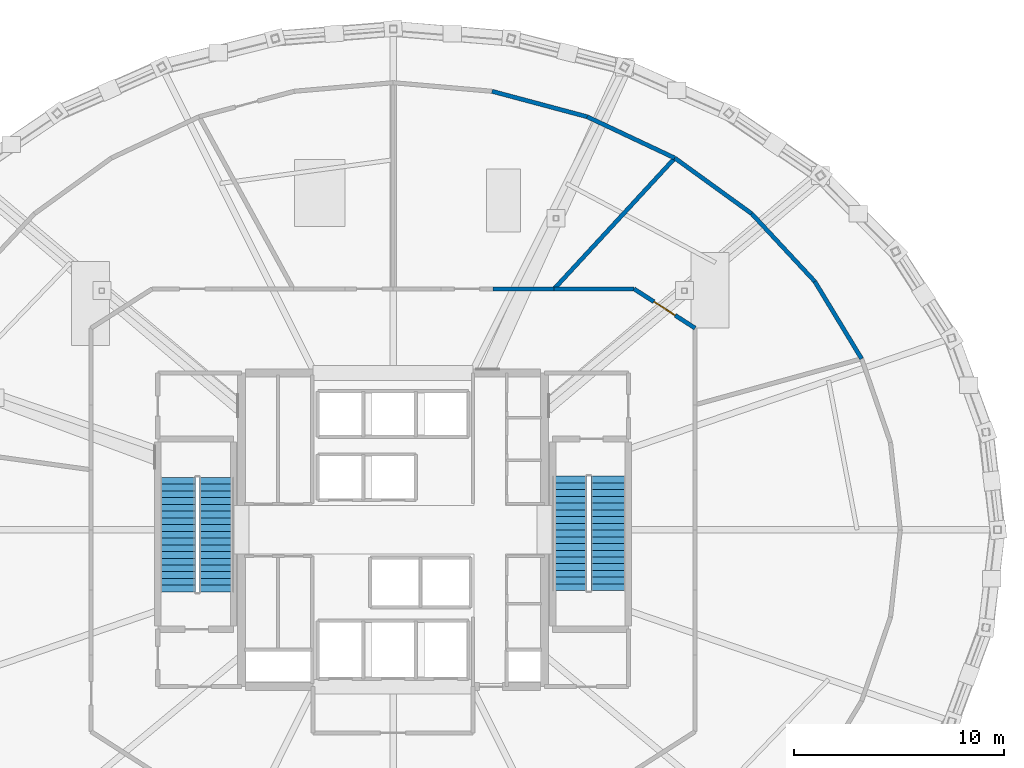
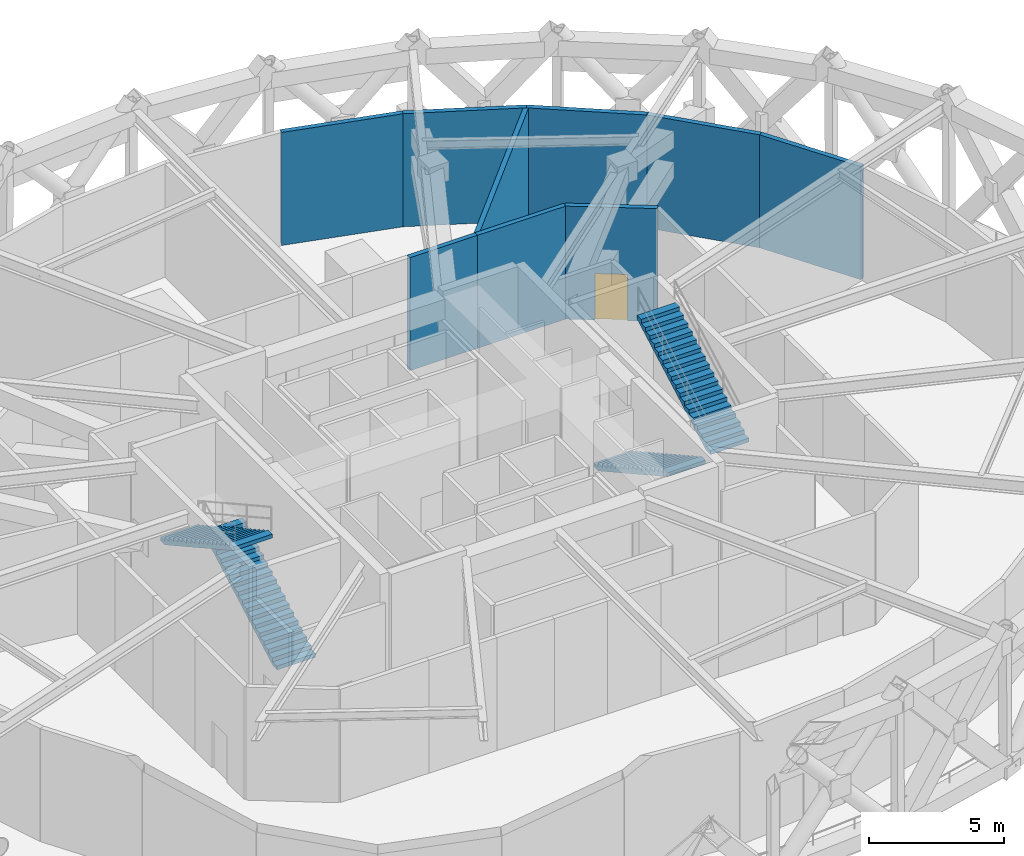
# One storey, part 11 of 15: 9 walls, 4 stair flights, 1 door, 1 opening, 2 elements without a shape of their own.
"""IFC4 building model written with IfcOpenShell, lengths in metres."""

from ifc_helpers import new_model, si_unit, direction, frame, frame_2d, origin, place, context, subcontext, project, spatial, polyline, rectangle, outline, extrude, material, layer, layer_set, type_object, element, fill, aggregate, save


model = new_model("IFC4")

# Units and contexts
model_context = context("Model", 3, precision=1e-05, world=origin(), true_north=direction((0.0, 1.0)))
body_context = subcontext(model_context, "Body", "Model", "MODEL_VIEW")
ifc_project = project(units=[si_unit("LENGTHUNIT", "METRE"), si_unit("AREAUNIT", "SQUARE_METRE"), si_unit("VOLUMEUNIT", "CUBIC_METRE"), si_unit("PLANEANGLEUNIT", "RADIAN"), si_unit("MASSUNIT", "GRAM", prefix="KILO")], contexts=[model_context])

# Site, building, storey
site_placement = place(None, origin())
site = spatial("IfcSite", under=ifc_project, at=site_placement, CompositionType="ELEMENT")
building_placement = place(site_placement, origin())
building = spatial("IfcBuilding", under=site, at=building_placement, Name="Veldorina Hangang Commons", CompositionType="ELEMENT")
storey_placement = place(building_placement, frame((0.0, 0.0, 110.800048828125)))
storey = spatial("IfcBuildingStorey", under=building, at=storey_placement, Name="L28", CompositionType="ELEMENT", Elevation=110.800048828125)

# Walls
ifc_material_1 = material(Name="Concrete Blockwork Fire Wall C30/37", Category="masonry")
ifc_layer = layer(ifc_material_1, 0.199951171875)
ifc_layer_set = layer_set([ifc_layer], Name="Concrete Blockwork Fire Wall C30/37")
wall_type = type_object("IfcWallType", Name="WL-FIRE-200", PredefinedType="SOLIDWALL", material=ifc_layer_set)
wall_1_placement = place(storey_placement, frame((54.265380859375, 32.132080078125, 0.0), z_axis=(0.0, 0.0, 1.0), x_axis=(-0.518384837447, 0.855147449452, 0.0)))
element("IfcWall", 1, at=wall_1_placement, inside=storey, type_object=wall_type, Name="L28 L28 wind-floor compartment wall 02 054", PredefinedType="SOLIDWALL", context=body_context, shape_type="SweptSolid", body=[
    extrude(rectangle(XDim=4.296142578125, YDim=0.199951171875, at=frame_2d((2.14794921875, 0.0))), origin(), (0.0, 0.0, 1.0), 5.119873046875),
])
wall_2_placement = place(storey_placement, frame((52.038330078125, 35.805908203125, 0.0), z_axis=(0.0, 0.0, 1.0), x_axis=(-0.681317030747, 0.731988458661, 0.0)))
element("IfcWall", 2, at=wall_2_placement, inside=storey, type_object=wall_type, Name="L28 L28 wind-floor compartment wall 03 055", PredefinedType="SOLIDWALL", context=body_context, shape_type="SweptSolid", body=[
    extrude(rectangle(XDim=4.39892578125, YDim=0.199951171875, at=frame_2d((2.199462890625, 0.0))), origin(), (0.0, 0.0, 1.0), 5.119873046875),
])
wall_3_placement = place(storey_placement, frame((49.041259765625, 39.02587890625, 0.0), z_axis=(0.0, 0.0, 1.0), x_axis=(-0.810131923704, 0.586247615088, 0.0)))
element("IfcWall", 3, at=wall_3_placement, inside=storey, type_object=wall_type, Name="L28 L28 wind-floor compartment wall 04 056", PredefinedType="SOLIDWALL", context=body_context, shape_type="SweptSolid", body=[
    extrude(rectangle(XDim=4.508056640625, YDim=0.199951171875, at=frame_2d((2.25390625, 0.0))), origin(), (0.0, 0.0, 1.0), 5.119873046875),
])
wall_4_placement = place(storey_placement, frame((45.38916015625, 41.668701171875, 0.0), z_axis=(0.0, 0.0, 1.0), x_axis=(-0.904574703116, 0.426315149253, 0.0)))
element("IfcWall", 4, at=wall_4_placement, inside=storey, type_object=wall_type, Name="L28 L28 wind-floor compartment wall 05 057", PredefinedType="SOLIDWALL", context=body_context, shape_type="SweptSolid", body=[
    extrude(rectangle(XDim=4.60595703125, YDim=0.199951171875, at=frame_2d((2.302978515625, 0.0))), origin(), (0.0, 0.0, 1.0), 5.119873046875),
])
wall_5_placement = place(storey_placement, frame((41.22265625, 43.63232421875, 0.0), z_axis=(0.0, 0.0, 1.0), x_axis=(-0.9660285601, 0.258435332473, 0.0)))
element("IfcWall", 5, at=wall_5_placement, inside=storey, type_object=wall_type, Name="L28 L28 wind-floor compartment wall 06 058", PredefinedType="SOLIDWALL", context=body_context, shape_type="SweptSolid", body=[
    extrude(rectangle(XDim=4.679931640625, YDim=0.199951171875, at=frame_2d((2.33984375, 0.0))), origin(), (0.0, 0.0, 1.0), 5.119873046875),
])

# Wall, opening, door
wall_6_placement = place(storey_placement, frame((46.35009765625, 33.58837890625, 0.0), z_axis=(0.0, 0.0, 1.0), x_axis=(-0.841548863049, 0.540180998464, 0.0)))
wall_6 = element("IfcWall", 6, at=wall_6_placement, inside=storey, type_object=wall_type, Name="L28 Plant corridor wall 03 087", PredefinedType="SOLIDWALL", context=body_context, shape_type="SweptSolid", body=[
    extrude(rectangle(XDim=3.4462890625, YDim=0.199951171875, at=frame_2d((1.72314453125, 0.0))), origin(), (0.0, 0.0, 1.0), 5.119873046875),
])
opening_placement = place(wall_6_placement, frame((1.123046875, 0.0, 0.0)))
opening = element("IfcOpeningElement", 7, at=opening_placement, cuts=wall_6, Name="Opening D-10", PredefinedType="OPENING", context=body_context, shape_type="SweptSolid", body=[
    extrude(rectangle(XDim=1.199951171875, YDim=2.10009765625, at=frame_2d((0.60009765625, 1.050048828125))), frame((0.0, 0.10986328125, 0.0), z_axis=(0.0, -1.0, 0.0), x_axis=(1.0, 0.0, 0.0)), (0.0, 0.0, 1.0), 0.219970703125),
])
ifc_material_2 = material(Name="Steel Heavy-Duty Acoustic Plant", Category="steel")
door_type = type_object("IfcDoorType", Name="DR-PLANT-1200", OperationType="SINGLE_SWING_RIGHT", PredefinedType="DOOR", material=ifc_material_2)
door_placement = place(opening_placement, origin())
door = element("IfcDoor", 8, at=door_placement, inside=storey, type_object=door_type, Name="L28 Chiller and Heat Exchanger Plant Room door 025", OperationType="SINGLE_SWING_LEFT", OverallHeight=2.10009765625, OverallWidth=1.199951171875, PredefinedType="DOOR", context=body_context, shape_type="SweptSolid", body=[
    extrude(rectangle(XDim=1.199951171875, YDim=2.10009765625, at=frame_2d((0.60009765625, 1.050048828125))), frame((0.0, 0.02490234375, 0.0), z_axis=(0.0, -1.0, 0.0), x_axis=(1.0, 0.0, 0.0)), (0.0, 0.0, 1.0), 0.050048828125),
])
fill(opening, door)

# Walls
wall_7_placement = place(storey_placement, frame((43.449951171875, 35.449951171875, 0.0), z_axis=(0.0, 0.0, 1.0), x_axis=(-1.0, 0.0, 0.0)))
element("IfcWall", 9, at=wall_7_placement, inside=storey, type_object=wall_type, Name="L28 Plant corridor wall 04 088", PredefinedType="SOLIDWALL", context=body_context, shape_type="SweptSolid", body=[
    extrude(rectangle(XDim=3.79931640625, YDim=0.199951171875, at=frame_2d((1.899658203125, 0.0))), origin(), (0.0, 0.0, 1.0), 5.119873046875),
])
wall_8_placement = place(storey_placement, frame((39.650634765625, 35.449951171875, 0.0), z_axis=(0.0, 0.0, 1.0), x_axis=(-1.0, 0.0, 0.0)))
element("IfcWall", 10, at=wall_8_placement, inside=storey, type_object=wall_type, Name="L28 Plant corridor wall 05 089", PredefinedType="SOLIDWALL", context=body_context, shape_type="SweptSolid", body=[
    extrude(rectangle(XDim=2.907958984375, YDim=0.199951171875, at=frame_2d((1.4541015625, 0.0))), origin(), (0.0, 0.0, 1.0), 5.119873046875),
])
wall_9_placement = place(storey_placement, frame((39.650634765625, 35.449951171875, 0.0), z_axis=(0.0, 0.0, 1.0), x_axis=(0.678161460471, 0.734912942825, 0.0)))
element("IfcWall", 11, at=wall_9_placement, inside=storey, type_object=wall_type, Name="L28 Air Handling Unit Mechanical Plant Room divider 118", PredefinedType="SOLIDWALL", context=body_context, shape_type="SweptSolid", body=[
    extrude(rectangle(XDim=8.4619140625, YDim=0.199951171875, at=frame_2d((4.23095703125, 0.0))), origin(), (0.0, 0.0, 1.0), 5.119873046875),
])

# Stair, stair flights
ifc_material_3 = material(Name="Concrete C40/50", Category="concrete")
stair_type = type_object("IfcStairType", Name="STR-DOG-1650-36R", PredefinedType="HALF_TURN_STAIR", material=ifc_material_3)
stair_1_placement = place(storey_placement, origin())
stair_1 = element("IfcStair", 12, at=stair_1_placement, inside=storey, type_object=stair_type, Name="L28 Exit stair ST-1", PredefinedType="HALF_TURN_STAIR")
stair_flight_type = type_object("IfcStairFlightType", Name="SFL-STR-1650-36R", PredefinedType="STRAIGHT", material=ifc_material_3)
stair_flight_1_placement = place(storey_placement, frame((23.625, 21.050048828125, 0.0), z_axis=(0.0, 0.0, 1.0), x_axis=(0.0, 1.0, 0.0)))
stair_flight_1 = element("IfcStairFlight", 13, at=stair_flight_1_placement, type_object=stair_flight_type, Name="ST-1 flight 1", NumberOfRisers=18, NumberOfTreads=17, PredefinedType="STRAIGHT", RiserHeight=0.177777778, TreadLength=0.32, context=body_context, shape_type="SweptSolid", body=[
    extrude(outline(polyline([(0.0, 0.0), (0.0, 0.177734375), (0.320068359375, 0.177734375), (0.320068359375, 0.35546875), (0.639892578125, 0.35546875), (0.639892578125, 0.533447265625), (0.9599609375, 0.533447265625), (0.9599609375, 0.711181640625), (1.280029296875, 0.711181640625), (1.280029296875, 0.888916015625), (1.60009765625, 0.888916015625), (1.60009765625, 1.066650390625), (1.919921875, 1.066650390625), (1.919921875, 1.244384765625), (2.239990234375, 1.244384765625), (2.239990234375, 1.422119140625), (2.56005859375, 1.422119140625), (2.56005859375, 1.60009765625), (2.8798828125, 1.60009765625), (2.8798828125, 1.77783203125), (3.199951171875, 1.77783203125), (3.199951171875, 1.95556640625), (3.52001953125, 1.95556640625), (3.52001953125, 2.13330078125), (3.840087890625, 2.13330078125), (3.840087890625, 2.31103515625), (4.159912109375, 2.31103515625), (4.159912109375, 2.48876953125), (4.47998046875, 2.48876953125), (4.47998046875, 2.666748046875), (4.800048828125, 2.666748046875), (4.800048828125, 2.844482421875), (5.1201171875, 2.844482421875), (5.1201171875, 3.022216796875), (5.43994140625, 3.022216796875), (5.43994140625, 3.199951171875), (5.43994140625, 2.850830078125), (0.30859375, 0.0), (0.0, 0.0)])), frame((0.0, 0.824951171875, 0.0), z_axis=(0.0, -1.0, 0.0), x_axis=(1.0, 0.0, 0.0)), (0.0, 0.0, 1.0), 1.64990234375),
])
stair_flight_2_placement = place(storey_placement, frame((21.77490234375, 26.489990234375, 3.199951171875), z_axis=(0.0, 0.0, 1.0), x_axis=(0.0, -1.0, 0.0)))
stair_flight_2 = element("IfcStairFlight", 14, at=stair_flight_2_placement, type_object=stair_flight_type, Name="ST-1 flight 2", NumberOfRisers=18, NumberOfTreads=17, PredefinedType="STRAIGHT", RiserHeight=0.177777778, TreadLength=0.32, context=body_context, shape_type="SweptSolid", body=[
    extrude(outline(polyline([(0.0, 0.0), (0.0, 0.177734375), (0.320068359375, 0.177734375), (0.320068359375, 0.35546875), (0.639892578125, 0.35546875), (0.639892578125, 0.533447265625), (0.9599609375, 0.533447265625), (0.9599609375, 0.711181640625), (1.280029296875, 0.711181640625), (1.280029296875, 0.888916015625), (1.60009765625, 0.888916015625), (1.60009765625, 1.066650390625), (1.919921875, 1.066650390625), (1.919921875, 1.244384765625), (2.239990234375, 1.244384765625), (2.239990234375, 1.422119140625), (2.56005859375, 1.422119140625), (2.56005859375, 1.60009765625), (2.8798828125, 1.60009765625), (2.8798828125, 1.77783203125), (3.199951171875, 1.77783203125), (3.199951171875, 1.95556640625), (3.52001953125, 1.95556640625), (3.52001953125, 2.13330078125), (3.840087890625, 2.13330078125), (3.840087890625, 2.31103515625), (4.159912109375, 2.31103515625), (4.159912109375, 2.48876953125), (4.47998046875, 2.48876953125), (4.47998046875, 2.666748046875), (4.800048828125, 2.666748046875), (4.800048828125, 2.844482421875), (5.1201171875, 2.844482421875), (5.1201171875, 3.022216796875), (5.43994140625, 3.022216796875), (5.43994140625, 3.199951171875), (5.43994140625, 2.850830078125), (0.30859375, 0.0), (0.0, 0.0)])), frame((0.0, 0.824951171875, 0.0), z_axis=(0.0, -1.0, 0.0), x_axis=(1.0, 0.0, 0.0)), (0.0, 0.0, 1.0), 1.64990234375),
])
aggregate(stair_1, [stair_flight_1, stair_flight_2])

stair_2_placement = place(storey_placement, origin())
stair_2 = element("IfcStair", 15, at=stair_2_placement, inside=storey, type_object=stair_type, Name="L28 Exit stair ST-2", PredefinedType="HALF_TURN_STAIR")
stair_flight_3_placement = place(storey_placement, frame((40.375, 26.550048828125, 0.0), z_axis=(0.0, 0.0, 1.0), x_axis=(0.0, -1.0, 0.0)))
stair_flight_3 = element("IfcStairFlight", 16, at=stair_flight_3_placement, type_object=stair_flight_type, Name="ST-2 flight 1", NumberOfRisers=18, NumberOfTreads=17, PredefinedType="STRAIGHT", RiserHeight=0.177777778, TreadLength=0.32, context=body_context, shape_type="SweptSolid", body=[
    extrude(outline(polyline([(0.0, 0.0), (0.0, 0.177734375), (0.320068359375, 0.177734375), (0.320068359375, 0.35546875), (0.639892578125, 0.35546875), (0.639892578125, 0.533447265625), (0.9599609375, 0.533447265625), (0.9599609375, 0.711181640625), (1.280029296875, 0.711181640625), (1.280029296875, 0.888916015625), (1.60009765625, 0.888916015625), (1.60009765625, 1.066650390625), (1.919921875, 1.066650390625), (1.919921875, 1.244384765625), (2.239990234375, 1.244384765625), (2.239990234375, 1.422119140625), (2.56005859375, 1.422119140625), (2.56005859375, 1.60009765625), (2.8798828125, 1.60009765625), (2.8798828125, 1.77783203125), (3.199951171875, 1.77783203125), (3.199951171875, 1.95556640625), (3.52001953125, 1.95556640625), (3.52001953125, 2.13330078125), (3.840087890625, 2.13330078125), (3.840087890625, 2.31103515625), (4.159912109375, 2.31103515625), (4.159912109375, 2.48876953125), (4.47998046875, 2.48876953125), (4.47998046875, 2.666748046875), (4.800048828125, 2.666748046875), (4.800048828125, 2.844482421875), (5.1201171875, 2.844482421875), (5.1201171875, 3.022216796875), (5.43994140625, 3.022216796875), (5.43994140625, 3.199951171875), (5.43994140625, 2.850830078125), (0.30859375, 0.0), (0.0, 0.0)])), frame((0.0, 0.824951171875, 0.0), z_axis=(0.0, -1.0, 0.0), x_axis=(1.0, 0.0, 0.0)), (0.0, 0.0, 1.0), 1.64990234375),
])
stair_flight_4_placement = place(storey_placement, frame((42.22509765625, 21.110107421875, 3.199951171875), z_axis=(0.0, 0.0, 1.0), x_axis=(0.0, 1.0, 0.0)))
stair_flight_4 = element("IfcStairFlight", 17, at=stair_flight_4_placement, type_object=stair_flight_type, Name="ST-2 flight 2", NumberOfRisers=18, NumberOfTreads=17, PredefinedType="STRAIGHT", RiserHeight=0.177777778, TreadLength=0.32, context=body_context, shape_type="SweptSolid", body=[
    extrude(outline(polyline([(0.0, 0.0), (0.0, 0.177734375), (0.320068359375, 0.177734375), (0.320068359375, 0.35546875), (0.639892578125, 0.35546875), (0.639892578125, 0.533447265625), (0.9599609375, 0.533447265625), (0.9599609375, 0.711181640625), (1.280029296875, 0.711181640625), (1.280029296875, 0.888916015625), (1.60009765625, 0.888916015625), (1.60009765625, 1.066650390625), (1.919921875, 1.066650390625), (1.919921875, 1.244384765625), (2.239990234375, 1.244384765625), (2.239990234375, 1.422119140625), (2.56005859375, 1.422119140625), (2.56005859375, 1.60009765625), (2.8798828125, 1.60009765625), (2.8798828125, 1.77783203125), (3.199951171875, 1.77783203125), (3.199951171875, 1.95556640625), (3.52001953125, 1.95556640625), (3.52001953125, 2.13330078125), (3.840087890625, 2.13330078125), (3.840087890625, 2.31103515625), (4.159912109375, 2.31103515625), (4.159912109375, 2.48876953125), (4.47998046875, 2.48876953125), (4.47998046875, 2.666748046875), (4.800048828125, 2.666748046875), (4.800048828125, 2.844482421875), (5.1201171875, 2.844482421875), (5.1201171875, 3.022216796875), (5.43994140625, 3.022216796875), (5.43994140625, 3.199951171875), (5.43994140625, 2.850830078125), (0.30859375, 0.0), (0.0, 0.0)])), frame((0.0, 0.824951171875, 0.0), z_axis=(0.0, -1.0, 0.0), x_axis=(1.0, 0.0, 0.0)), (0.0, 0.0, 1.0), 1.64990234375),
])
aggregate(stair_2, [stair_flight_3, stair_flight_4])

save(model, "model.ifc")
